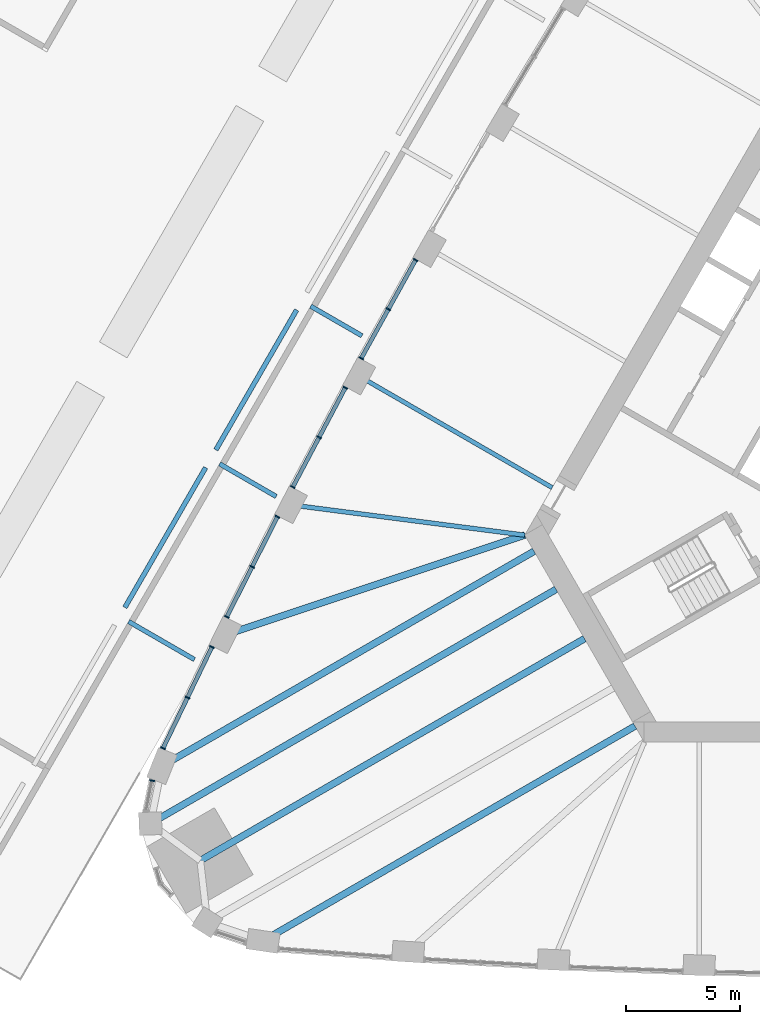
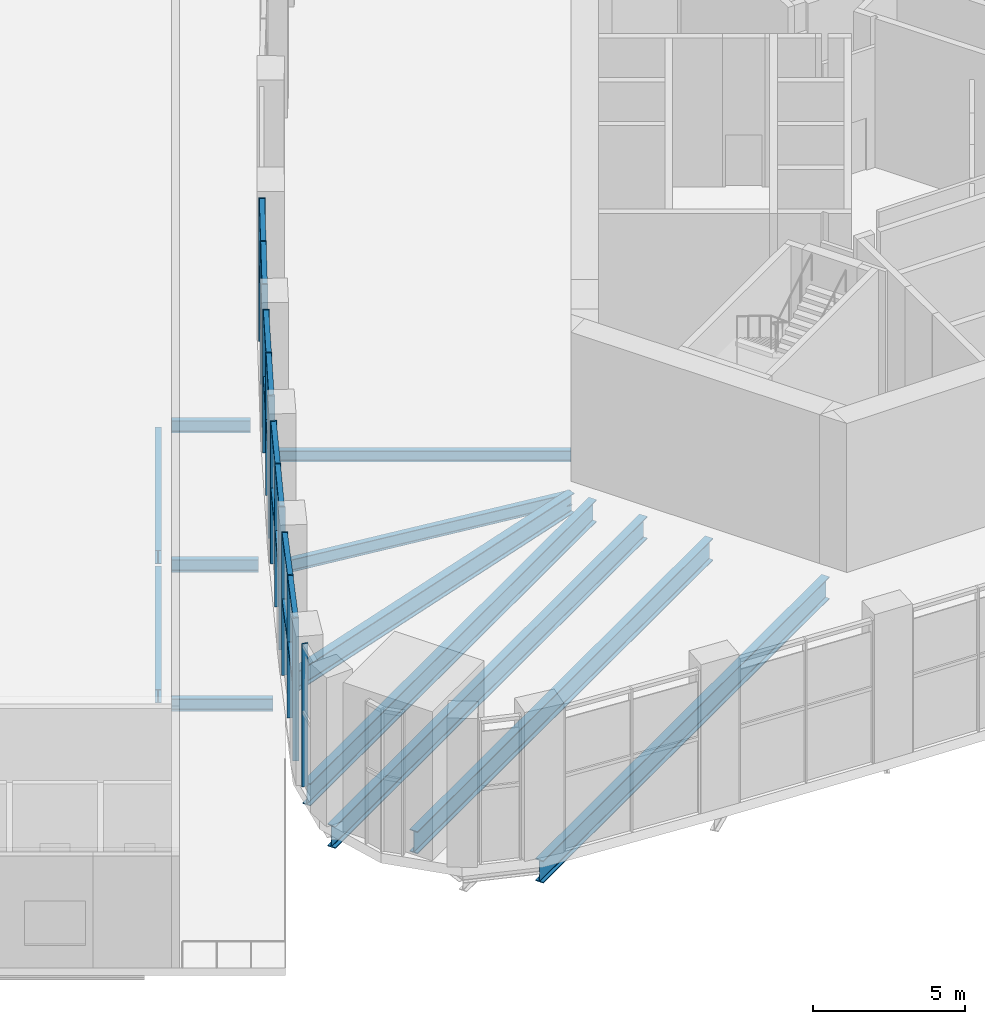
# One storey, part 3 of 41: 29 members, 12 beams, 2 elements without a shape of their own.
"""IFC4 building model written with IfcOpenShell, lengths in metres."""

from ifc_helpers import new_model, si_unit, direction, frame, origin, origin_2d, place, context, subcontext, project, spatial, rectangle, i_section, extrude, material, material_profile, profile_set, type_object, element, aggregate, save


model = new_model("IFC4")

# Units and contexts
model_context = context("Model", 3, precision=1e-05, world=origin(), true_north=direction((0.0, 1.0)))
body_context = subcontext(model_context, "Body", "Model", "MODEL_VIEW")
ifc_project = project(units=[si_unit("LENGTHUNIT", "METRE"), si_unit("AREAUNIT", "SQUARE_METRE"), si_unit("VOLUMEUNIT", "CUBIC_METRE"), si_unit("PLANEANGLEUNIT", "RADIAN"), si_unit("MASSUNIT", "GRAM", prefix="KILO")], contexts=[model_context])

# Site, building, storey
site_placement = place(None, origin())
site = spatial("IfcSite", under=ifc_project, at=site_placement, CompositionType="ELEMENT")
building_placement = place(site_placement, origin())
building = spatial("IfcBuilding", under=site, at=building_placement, Name="Mestral Congress Tower", CompositionType="ELEMENT")
storey_placement = place(building_placement, frame((0.0, 0.0, 21.60009765625)))
storey = spatial("IfcBuildingStorey", under=building, at=storey_placement, Name="L04", CompositionType="ELEMENT", Elevation=21.60009765625)

# Curtain wall, members
ifc_material_1 = material(Name="Clear low-emissivity double glazing", Category="glass")
curtain_wall_type = type_object("IfcCurtainWallType", Name="Facade arrival lobby curtain wall", PredefinedType="USERDEFINED", material=ifc_material_1)
placement = place(storey_placement, origin())
curtain_wall_1 = element("IfcCurtainWall", 1, at=placement, inside=storey, type_object=curtain_wall_type, Name="Facade arrival lobby curtain wall face 3", ObjectType="CURTAIN WALL", PredefinedType="USERDEFINED")
ifc_material_2 = material(Name="Anodised aluminium", Category="aluminium")
ifc_material_profile_1 = material_profile(ifc_material_2, rectangle(XDim=0.219970703125, YDim=0.06005859375, at=origin_2d()), Name="CW4 mullion 220 x 60")
ifc_profile_set_1 = profile_set([ifc_material_profile_1], Name="Anodised aluminium")
member_type_1 = type_object("IfcMemberType", Name="Facade arrival lobby curtain wall mullion", PredefinedType="MULLION", material=ifc_profile_set_1)
member_1_placement = place(storey_placement, frame((-22.0595703125, 8.19091796875, 0.0), z_axis=(0.0, 0.0, 1.0), x_axis=(-0.875120162417, 0.483905674001, 0.0)))
member_1 = element("IfcMember", 2, at=member_1_placement, type_object=member_type_1, Name="Facade arrival lobby curtain wall mullion", PredefinedType="MULLION", context=body_context, shape_type="SweptSolid", body=[
    extrude(rectangle(XDim=0.219970703125, YDim=0.06005859375, at=origin_2d()), origin(), (0.0, 0.0, 1.0), 5.75),
])
member_2_placement = place(storey_placement, frame((-23.25439453125, 6.0302734375, 0.0), z_axis=(0.0, 0.0, 1.0), x_axis=(-0.875120162417, 0.483905674001, 0.0)))
member_2 = element("IfcMember", 3, at=member_2_placement, type_object=member_type_1, Name="Facade arrival lobby curtain wall mullion", PredefinedType="MULLION", context=body_context, shape_type="SweptSolid", body=[
    extrude(rectangle(XDim=0.219970703125, YDim=0.06005859375, at=origin_2d()), origin(), (0.0, 0.0, 1.0), 5.75),
])
member_3_placement = place(storey_placement, frame((-24.44921875, 3.869384765625, 0.0), z_axis=(0.0, 0.0, 1.0), x_axis=(-0.875120162417, 0.483905674001, 0.0)))
member_3 = element("IfcMember", 4, at=member_3_placement, type_object=member_type_1, Name="Facade arrival lobby curtain wall mullion", PredefinedType="MULLION", context=body_context, shape_type="SweptSolid", body=[
    extrude(rectangle(XDim=0.219970703125, YDim=0.06005859375, at=origin_2d()), origin(), (0.0, 0.0, 1.0), 5.75),
])
member_4_placement = place(storey_placement, frame((-25.147216796875, 2.5791015625, 0.0), z_axis=(0.0, 0.0, 1.0), x_axis=(-0.883913407167, 0.467650605293, 0.0)))
member_4 = element("IfcMember", 5, at=member_4_placement, type_object=member_type_1, Name="Facade arrival lobby curtain wall mullion", PredefinedType="MULLION", context=body_context, shape_type="SweptSolid", body=[
    extrude(rectangle(XDim=0.219970703125, YDim=0.06005859375, at=origin_2d()), origin(), (0.0, 0.0, 1.0), 5.75),
])
member_5_placement = place(storey_placement, frame((-26.302001953125, 0.396484375, 0.0), z_axis=(0.0, 0.0, 1.0), x_axis=(-0.883913407167, 0.467650605293, 0.0)))
member_5 = element("IfcMember", 6, at=member_5_placement, type_object=member_type_1, Name="Facade arrival lobby curtain wall mullion", PredefinedType="MULLION", context=body_context, shape_type="SweptSolid", body=[
    extrude(rectangle(XDim=0.219970703125, YDim=0.06005859375, at=origin_2d()), origin(), (0.0, 0.0, 1.0), 5.75),
])
member_6_placement = place(storey_placement, frame((-27.456787109375, -1.785888671875, 0.0), z_axis=(0.0, 0.0, 1.0), x_axis=(-0.883913407167, 0.467650605293, 0.0)))
member_6 = element("IfcMember", 7, at=member_6_placement, type_object=member_type_1, Name="Facade arrival lobby curtain wall mullion", PredefinedType="MULLION", context=body_context, shape_type="SweptSolid", body=[
    extrude(rectangle(XDim=0.219970703125, YDim=0.06005859375, at=origin_2d()), origin(), (0.0, 0.0, 1.0), 5.75),
])
member_7_placement = place(storey_placement, frame((-28.130859375, -3.089111328125, 0.0), z_axis=(0.0, 0.0, 1.0), x_axis=(-0.89241420316, 0.451217120684, 0.0)))
member_7 = element("IfcMember", 8, at=member_7_placement, type_object=member_type_1, Name="Facade arrival lobby curtain wall mullion", PredefinedType="MULLION", context=body_context, shape_type="SweptSolid", body=[
    extrude(rectangle(XDim=0.219970703125, YDim=0.06005859375, at=origin_2d()), origin(), (0.0, 0.0, 1.0), 5.75),
])
member_8_placement = place(storey_placement, frame((-29.244873046875, -5.29248046875, 0.0), z_axis=(0.0, 0.0, 1.0), x_axis=(-0.89241420316, 0.451217120684, 0.0)))
member_8 = element("IfcMember", 9, at=member_8_placement, type_object=member_type_1, Name="Facade arrival lobby curtain wall mullion", PredefinedType="MULLION", context=body_context, shape_type="SweptSolid", body=[
    extrude(rectangle(XDim=0.219970703125, YDim=0.06005859375, at=origin_2d()), origin(), (0.0, 0.0, 1.0), 5.75),
])
member_9_placement = place(storey_placement, frame((-30.35888671875, -7.49609375, 0.0), z_axis=(0.0, 0.0, 1.0), x_axis=(-0.89241420316, 0.451217120684, 0.0)))
member_9 = element("IfcMember", 10, at=member_9_placement, type_object=member_type_1, Name="Facade arrival lobby curtain wall mullion", PredefinedType="MULLION", context=body_context, shape_type="SweptSolid", body=[
    extrude(rectangle(XDim=0.219970703125, YDim=0.06005859375, at=origin_2d()), origin(), (0.0, 0.0, 1.0), 5.75),
])
member_10_placement = place(storey_placement, frame((-31.0087890625, -8.811279296875, 0.0), z_axis=(0.0, 0.0, 1.0), x_axis=(-0.90059585057, 0.434657467366, 0.0)))
member_10 = element("IfcMember", 11, at=member_10_placement, type_object=member_type_1, Name="Facade arrival lobby curtain wall mullion", PredefinedType="MULLION", context=body_context, shape_type="SweptSolid", body=[
    extrude(rectangle(XDim=0.219970703125, YDim=0.06005859375, at=origin_2d()), origin(), (0.0, 0.0, 1.0), 5.75),
])
member_11_placement = place(storey_placement, frame((-32.083740234375, -11.03857421875, 0.0), z_axis=(0.0, 0.0, 1.0), x_axis=(-0.90059585057, 0.434657467366, 0.0)))
member_11 = element("IfcMember", 12, at=member_11_placement, type_object=member_type_1, Name="Facade arrival lobby curtain wall mullion", PredefinedType="MULLION", context=body_context, shape_type="SweptSolid", body=[
    extrude(rectangle(XDim=0.219970703125, YDim=0.06005859375, at=origin_2d()), origin(), (0.0, 0.0, 1.0), 5.75),
])
member_12_placement = place(storey_placement, frame((-33.15869140625, -13.265380859375, 0.0), z_axis=(0.0, 0.0, 1.0), x_axis=(-0.90059585057, 0.434657467366, 0.0)))
member_12 = element("IfcMember", 13, at=member_12_placement, type_object=member_type_1, Name="Facade arrival lobby curtain wall mullion", PredefinedType="MULLION", context=body_context, shape_type="SweptSolid", body=[
    extrude(rectangle(XDim=0.219970703125, YDim=0.06005859375, at=origin_2d()), origin(), (0.0, 0.0, 1.0), 5.75),
])

# Curtain wall, member
curtain_wall_2 = element("IfcCurtainWall", 14, at=placement, inside=storey, type_object=curtain_wall_type, Name="Facade arrival lobby curtain wall corner 3", ObjectType="CURTAIN WALL", PredefinedType="USERDEFINED")
member_13_placement = place(storey_placement, frame((-33.63818359375, -14.687255859375, 0.0), z_axis=(0.0, 0.0, 1.0), x_axis=(-0.980186219896, 0.198078202553, 0.0)))
member_13 = element("IfcMember", 15, at=member_13_placement, type_object=member_type_1, Name="Facade arrival lobby curtain wall mullion", PredefinedType="MULLION", context=body_context, shape_type="SweptSolid", body=[
    extrude(rectangle(XDim=0.219970703125, YDim=0.06005859375, at=origin_2d()), origin(), (0.0, 0.0, 1.0), 5.75),
])
aggregate(curtain_wall_2, [member_13])

# Member
ifc_material_profile_2 = material_profile(ifc_material_2, rectangle(XDim=0.179931640625, YDim=0.139892578125, at=origin_2d()), Name="CW4 transom 180 x 140")
ifc_profile_set_2 = profile_set([ifc_material_profile_2], Name="Anodised aluminium")
member_type_2 = type_object("IfcMemberType", Name="Facade arrival lobby curtain wall transom", PredefinedType="USERDEFINED", material=ifc_profile_set_2)
member_14_placement = place(storey_placement, frame((-22.07421875, 8.164794921875, 3.0), z_axis=(-0.483878127232, -0.875135394089, 0.0), x_axis=(0.875135394089, -0.483878127232, 0.0)))
member_14 = element("IfcMember", 16, at=member_14_placement, type_object=member_type_2, Name="Facade arrival lobby curtain wall transom", ObjectType="TRANSOM", PredefinedType="USERDEFINED", context=body_context, shape_type="SweptSolid", body=[
    extrude(rectangle(XDim=0.179931640625, YDim=0.139892578125, at=origin_2d()), origin(), (0.0, 0.0, 1.0), 2.4091796875),
])

member_15_placement = place(storey_placement, frame((-22.07421875, 8.164794921875, 5.679931640625), z_axis=(-0.483878127232, -0.875135394089, 0.0), x_axis=(0.875135394089, -0.483878127232, 0.0)))
member_15 = element("IfcMember", 17, at=member_15_placement, type_object=member_type_2, Name="Facade arrival lobby curtain wall transom", ObjectType="TRANSOM", PredefinedType="USERDEFINED", context=body_context, shape_type="SweptSolid", body=[
    extrude(rectangle(XDim=0.179931640625, YDim=0.139892578125, at=origin_2d()), origin(), (0.0, 0.0, 1.0), 2.4091796875),
])

member_16_placement = place(storey_placement, frame((-23.268798828125, 6.00390625, 3.0), z_axis=(-0.483998648119, -0.875068745082, 0.0), x_axis=(0.875068745082, -0.483998648119, 0.0)))
member_16 = element("IfcMember", 18, at=member_16_placement, type_object=member_type_2, Name="Facade arrival lobby curtain wall transom", ObjectType="TRANSOM", PredefinedType="USERDEFINED", context=body_context, shape_type="SweptSolid", body=[
    extrude(rectangle(XDim=0.179931640625, YDim=0.139892578125, at=origin_2d()), origin(), (0.0, 0.0, 1.0), 2.4091796875),
])

member_17_placement = place(storey_placement, frame((-23.268798828125, 6.00390625, 5.679931640625), z_axis=(-0.483998648119, -0.875068745082, 0.0), x_axis=(0.875068745082, -0.483998648119, 0.0)))
member_17 = element("IfcMember", 19, at=member_17_placement, type_object=member_type_2, Name="Facade arrival lobby curtain wall transom", ObjectType="TRANSOM", PredefinedType="USERDEFINED", context=body_context, shape_type="SweptSolid", body=[
    extrude(rectangle(XDim=0.179931640625, YDim=0.139892578125, at=origin_2d()), origin(), (0.0, 0.0, 1.0), 2.4091796875),
])

member_18_placement = place(storey_placement, frame((-25.161376953125, 2.552490234375, 3.0), z_axis=(-0.467687491987, -0.883893890599, 0.0), x_axis=(0.883893890599, -0.467687491987, 0.0)))
member_18 = element("IfcMember", 20, at=member_18_placement, type_object=member_type_2, Name="Facade arrival lobby curtain wall transom", ObjectType="TRANSOM", PredefinedType="USERDEFINED", context=body_context, shape_type="SweptSolid", body=[
    extrude(rectangle(XDim=0.179931640625, YDim=0.139892578125, at=origin_2d()), origin(), (0.0, 0.0, 1.0), 2.4091796875),
])

member_19_placement = place(storey_placement, frame((-25.161376953125, 2.552490234375, 5.679931640625), z_axis=(-0.467687491987, -0.883893890599, 0.0), x_axis=(0.883893890599, -0.467687491987, 0.0)))
member_19 = element("IfcMember", 21, at=member_19_placement, type_object=member_type_2, Name="Facade arrival lobby curtain wall transom", ObjectType="TRANSOM", PredefinedType="USERDEFINED", context=body_context, shape_type="SweptSolid", body=[
    extrude(rectangle(XDim=0.179931640625, YDim=0.139892578125, at=origin_2d()), origin(), (0.0, 0.0, 1.0), 2.4091796875),
])

member_20_placement = place(storey_placement, frame((-26.31591796875, 0.3701171875, 3.0), z_axis=(-0.467645602362, -0.883916054041, 0.0), x_axis=(0.883916054041, -0.467645602362, 0.0)))
member_20 = element("IfcMember", 22, at=member_20_placement, type_object=member_type_2, Name="Facade arrival lobby curtain wall transom", ObjectType="TRANSOM", PredefinedType="USERDEFINED", context=body_context, shape_type="SweptSolid", body=[
    extrude(rectangle(XDim=0.179931640625, YDim=0.139892578125, at=origin_2d()), origin(), (0.0, 0.0, 1.0), 2.409423828125),
])

member_21_placement = place(storey_placement, frame((-26.31591796875, 0.3701171875, 5.679931640625), z_axis=(-0.467645602362, -0.883916054041, 0.0), x_axis=(0.883916054041, -0.467645602362, 0.0)))
member_21 = element("IfcMember", 23, at=member_21_placement, type_object=member_type_2, Name="Facade arrival lobby curtain wall transom", ObjectType="TRANSOM", PredefinedType="USERDEFINED", context=body_context, shape_type="SweptSolid", body=[
    extrude(rectangle(XDim=0.179931640625, YDim=0.139892578125, at=origin_2d()), origin(), (0.0, 0.0, 1.0), 2.409423828125),
])

member_22_placement = place(storey_placement, frame((-28.144287109375, -3.115966796875, 3.0), z_axis=(-0.451262562737, -0.892391225569, 0.0), x_axis=(0.892391225569, -0.451262562737, 0.0)))
member_22 = element("IfcMember", 24, at=member_22_placement, type_object=member_type_2, Name="Facade arrival lobby curtain wall transom", ObjectType="TRANSOM", PredefinedType="USERDEFINED", context=body_context, shape_type="SweptSolid", body=[
    extrude(rectangle(XDim=0.179931640625, YDim=0.139892578125, at=origin_2d()), origin(), (0.0, 0.0, 1.0), 2.4091796875),
])

member_23_placement = place(storey_placement, frame((-28.144287109375, -3.115966796875, 5.679931640625), z_axis=(-0.451262562737, -0.892391225569, 0.0), x_axis=(0.892391225569, -0.451262562737, 0.0)))
member_23 = element("IfcMember", 25, at=member_23_placement, type_object=member_type_2, Name="Facade arrival lobby curtain wall transom", ObjectType="TRANSOM", PredefinedType="USERDEFINED", context=body_context, shape_type="SweptSolid", body=[
    extrude(rectangle(XDim=0.179931640625, YDim=0.139892578125, at=origin_2d()), origin(), (0.0, 0.0, 1.0), 2.4091796875),
])

member_24_placement = place(storey_placement, frame((-29.25830078125, -5.3193359375, 3.0), z_axis=(-0.451262562737, -0.892391225569, 0.0), x_axis=(0.892391225569, -0.451262562737, 0.0)))
member_24 = element("IfcMember", 26, at=member_24_placement, type_object=member_type_2, Name="Facade arrival lobby curtain wall transom", ObjectType="TRANSOM", PredefinedType="USERDEFINED", context=body_context, shape_type="SweptSolid", body=[
    extrude(rectangle(XDim=0.179931640625, YDim=0.139892578125, at=origin_2d()), origin(), (0.0, 0.0, 1.0), 2.4091796875),
])

member_25_placement = place(storey_placement, frame((-29.25830078125, -5.3193359375, 5.679931640625), z_axis=(-0.451262562737, -0.892391225569, 0.0), x_axis=(0.892391225569, -0.451262562737, 0.0)))
member_25 = element("IfcMember", 27, at=member_25_placement, type_object=member_type_2, Name="Facade arrival lobby curtain wall transom", ObjectType="TRANSOM", PredefinedType="USERDEFINED", context=body_context, shape_type="SweptSolid", body=[
    extrude(rectangle(XDim=0.179931640625, YDim=0.139892578125, at=origin_2d()), origin(), (0.0, 0.0, 1.0), 2.4091796875),
])

member_26_placement = place(storey_placement, frame((-31.02197265625, -8.83837890625, 3.0), z_axis=(-0.434664179072, -0.900592611247, 0.0), x_axis=(0.900592611247, -0.434664179072, 0.0)))
member_26 = element("IfcMember", 28, at=member_26_placement, type_object=member_type_2, Name="Facade arrival lobby curtain wall transom", ObjectType="TRANSOM", PredefinedType="USERDEFINED", context=body_context, shape_type="SweptSolid", body=[
    extrude(rectangle(XDim=0.179931640625, YDim=0.139892578125, at=origin_2d()), origin(), (0.0, 0.0, 1.0), 2.412841796875),
])

member_27_placement = place(storey_placement, frame((-31.02197265625, -8.83837890625, 5.679931640625), z_axis=(-0.434664179072, -0.900592611247, 0.0), x_axis=(0.900592611247, -0.434664179072, 0.0)))
member_27 = element("IfcMember", 29, at=member_27_placement, type_object=member_type_2, Name="Facade arrival lobby curtain wall transom", ObjectType="TRANSOM", PredefinedType="USERDEFINED", context=body_context, shape_type="SweptSolid", body=[
    extrude(rectangle(XDim=0.179931640625, YDim=0.139892578125, at=origin_2d()), origin(), (0.0, 0.0, 1.0), 2.412841796875),
])

member_28_placement = place(storey_placement, frame((-32.0966796875, -11.0654296875, 3.0), z_axis=(-0.434664179072, -0.900592611247, 0.0), x_axis=(0.900592611247, -0.434664179072, 0.0)))
member_28 = element("IfcMember", 30, at=member_28_placement, type_object=member_type_2, Name="Facade arrival lobby curtain wall transom", ObjectType="TRANSOM", PredefinedType="USERDEFINED", context=body_context, shape_type="SweptSolid", body=[
    extrude(rectangle(XDim=0.179931640625, YDim=0.139892578125, at=origin_2d()), origin(), (0.0, 0.0, 1.0), 2.412841796875),
])

member_29_placement = place(storey_placement, frame((-32.0966796875, -11.0654296875, 5.679931640625), z_axis=(-0.434664179072, -0.900592611247, 0.0), x_axis=(0.900592611247, -0.434664179072, 0.0)))
member_29 = element("IfcMember", 31, at=member_29_placement, type_object=member_type_2, Name="Facade arrival lobby curtain wall transom", ObjectType="TRANSOM", PredefinedType="USERDEFINED", context=body_context, shape_type="SweptSolid", body=[
    extrude(rectangle(XDim=0.179931640625, YDim=0.139892578125, at=origin_2d()), origin(), (0.0, 0.0, 1.0), 2.412841796875),
])

aggregate(curtain_wall_1, [member_1, member_2, member_3, member_14, member_15, member_16, member_17, member_4, member_5, member_6, member_18, member_19, member_20, member_21, member_7, member_8, member_9, member_22, member_23, member_24, member_25, member_10, member_11, member_12, member_26, member_27, member_28, member_29])

# Beams
ifc_material_3 = material(Name="Steel S355", Category="steel")
ifc_material_profile_3 = material_profile(ifc_material_3, i_section(OverallWidth=0.300048828125, OverallDepth=0.800048828125, WebThickness=0.017578125, FlangeThickness=0.032958984375, FilletRadius=0.030029296875, at=origin_2d()), Name="HEB 800")
ifc_profile_set_3 = profile_set([ifc_material_profile_3], Name="Steel S355")
beam_type_1 = type_object("IfcBeamType", Name="Floor beam HEB 800 S355", PredefinedType="BEAM", material=ifc_profile_set_3)
beam_1_placement = place(storey_placement, frame((-30.421142578125, -8.28369140625, -0.800048828125), z_axis=(0.948734333606, 0.316074618146, 0.0), x_axis=(-0.316074618146, 0.948734333606, 0.0)))
element("IfcBeam", 32, at=beam_1_placement, inside=storey, type_object=beam_type_1, Name="BM-L04-RB1-W08", PredefinedType="BEAM", context=body_context, shape_type="SweptSolid", body=[
    extrude(i_section(OverallWidth=0.300048828125, OverallDepth=0.800048828125, WebThickness=0.017578125, FlangeThickness=0.032958984375, FilletRadius=0.030029296875, at=origin_2d()), origin(), (0.0, 0.0, 1.0), 13.869384765625),
])
ifc_material_profile_4 = material_profile(ifc_material_3, i_section(OverallWidth=0.300048828125, OverallDepth=0.89990234375, WebThickness=0.0185546875, FlangeThickness=0.034912109375, FilletRadius=0.030029296875, at=origin_2d()), Name="HEB 900")
ifc_profile_set_4 = profile_set([ifc_material_profile_4], Name="Steel S355")
beam_type_2 = type_object("IfcBeamType", Name="Floor beam HEB 900 S355", PredefinedType="BEAM", material=ifc_profile_set_4)
for number, where, z_axis, x_axis, name in (
    (33, (-28.766845703125, -21.730712890625, -0.85009765625), (0.86603009716, 0.499991870746, 0.0), (-0.499991870746, 0.86603009716, 0.0), "BM-L04-RB1-S00"),
    (34, (-33.202880859375, -14.04736328125, -0.85009765625), (0.86603009716, 0.499991870746, 0.0), (-0.499991870746, 0.86603009716, 0.0), "BM-L04-RB1-W09"),
):
    element("IfcBeam", number, at=place(storey_placement, frame(where, z_axis=z_axis, x_axis=x_axis)), inside=storey, type_object=beam_type_2, Name=name, PredefinedType="BEAM", context=body_context, shape_type="SweptSolid", body=[
        extrude(i_section(OverallWidth=0.300048828125, OverallDepth=0.89990234375, WebThickness=0.0185546875, FlangeThickness=0.034912109375, FilletRadius=0.030029296875, at=origin_2d()), origin(), (0.0, 0.0, 1.0), 18.878173828125),
    ])
beam_2_placement = place(storey_placement, frame((-33.71337890625, -16.573974609375, -0.85009765625), z_axis=(0.866026584559, 0.499997954832, 0.0), x_axis=(-0.499997954832, 0.866026584559, 0.0)))
element("IfcBeam", 35, at=beam_2_placement, inside=storey, type_object=beam_type_2, Name="BM-L04-RB1-SW1", PredefinedType="BEAM", context=body_context, shape_type="SweptSolid", body=[
    extrude(i_section(OverallWidth=0.300048828125, OverallDepth=0.89990234375, WebThickness=0.0185546875, FlangeThickness=0.034912109375, FilletRadius=0.030029296875, at=origin_2d()), origin(), (0.0, 0.0, 1.0), 20.58349609375),
])
beam_3_placement = place(storey_placement, frame((-31.5224609375, -18.199462890625, -0.85009765625), z_axis=(0.866026289775, 0.499998465416, 0.0), x_axis=(-0.499998465416, 0.866026289775, 0.0)))
element("IfcBeam", 36, at=beam_3_placement, inside=storey, type_object=beam_type_2, Name="BM-L04-RB1-SW", PredefinedType="BEAM", context=body_context, shape_type="SweptSolid", body=[
    extrude(i_section(OverallWidth=0.300048828125, OverallDepth=0.89990234375, WebThickness=0.0185546875, FlangeThickness=0.034912109375, FilletRadius=0.030029296875, at=origin_2d()), origin(), (0.0, 0.0, 1.0), 19.4990234375),
])
ifc_material_profile_5 = material_profile(ifc_material_3, i_section(OverallWidth=0.18994140625, OverallDepth=0.449951171875, WebThickness=0.009521484375, FlangeThickness=0.0146484375, FilletRadius=0.02099609375, at=origin_2d()), Name="IPE 450")
ifc_profile_set_5 = profile_set([ifc_material_profile_5], Name="Steel S355")
beam_type_3 = type_object("IfcBeamType", Name="Floor beam IPE 450 S355", PredefinedType="BEAM", material=ifc_profile_set_5)
beam_4_placement = place(storey_placement, frame((-24.540283203125, 3.084716796875, -0.625), z_axis=(0.866025782648, -0.499999343788, 0.0), x_axis=(0.499999343788, 0.866025782648, 0.0)))
element("IfcBeam", 37, at=beam_4_placement, inside=storey, type_object=beam_type_3, Name="BM-L04-RB1-W06", PredefinedType="BEAM", context=body_context, shape_type="SweptSolid", body=[
    extrude(i_section(OverallWidth=0.18994140625, OverallDepth=0.449951171875, WebThickness=0.009521484375, FlangeThickness=0.0146484375, FilletRadius=0.02099609375, at=origin_2d()), origin(), (0.0, 0.0, 1.0), 9.794921875),
])
ifc_material_profile_6 = material_profile(ifc_material_3, i_section(OverallWidth=0.199951171875, OverallDepth=0.5, WebThickness=0.01025390625, FlangeThickness=0.01611328125, FilletRadius=0.02099609375, at=origin_2d()), Name="IPE 500")
ifc_profile_set_6 = profile_set([ifc_material_profile_6], Name="Steel S355")
beam_type_4 = type_object("IfcBeamType", Name="Floor beam IPE 500 S355", PredefinedType="BEAM", material=ifc_profile_set_6)
beam_5_placement = place(storey_placement, frame((-27.533203125, -2.572265625, -0.650146484375), z_axis=(0.991748305255, -0.128200230198, 0.0), x_axis=(0.128200230198, 0.991748305255, 0.0)))
element("IfcBeam", 38, at=beam_5_placement, inside=storey, type_object=beam_type_4, Name="BM-L04-RB1-W07", PredefinedType="BEAM", context=body_context, shape_type="SweptSolid", body=[
    extrude(i_section(OverallWidth=0.199951171875, OverallDepth=0.5, WebThickness=0.01025390625, FlangeThickness=0.01611328125, FilletRadius=0.02099609375, at=origin_2d()), origin(), (0.0, 0.0, 1.0), 10.35595703125),
])
beam_6_placement = place(storey_placement, frame((-26.6708984375, 6.160888671875, -0.550048828125), z_axis=(0.866018489949, -0.500011974923, 0.0), x_axis=(0.500011974923, 0.866018489949, 0.0)))
element("IfcBeam", 39, at=beam_6_placement, inside=storey, type_object=beam_type_4, Name="BM-L04-W-K07", PredefinedType="BEAM", context=body_context, shape_type="SweptSolid", body=[
    extrude(i_section(OverallWidth=0.199951171875, OverallDepth=0.5, WebThickness=0.01025390625, FlangeThickness=0.01611328125, FilletRadius=0.02099609375, at=origin_2d()), origin(), (0.0, 0.0, 1.0), 2.603515625),
])
beam_7_placement = place(storey_placement, frame((-30.6708984375, -0.767333984375, -0.550048828125), z_axis=(0.866019818373, -0.500009674092, 0.0), x_axis=(0.500009674092, 0.866019818373, 0.0)))
element("IfcBeam", 40, at=beam_7_placement, inside=storey, type_object=beam_type_4, Name="BM-L04-W-K08", PredefinedType="BEAM", context=body_context, shape_type="SweptSolid", body=[
    extrude(i_section(OverallWidth=0.199951171875, OverallDepth=0.5, WebThickness=0.01025390625, FlangeThickness=0.01611328125, FilletRadius=0.02099609375, at=origin_2d()), origin(), (0.0, 0.0, 1.0), 2.86962890625),
])
beam_8_placement = place(storey_placement, frame((-34.6708984375, -7.695556640625, -0.550048828125), z_axis=(0.866000720478, -0.500042750305, 0.0), x_axis=(0.500042750305, 0.866000720478, 0.0)))
element("IfcBeam", 41, at=beam_8_placement, inside=storey, type_object=beam_type_4, Name="BM-L04-W-K09", PredefinedType="BEAM", context=body_context, shape_type="SweptSolid", body=[
    extrude(i_section(OverallWidth=0.199951171875, OverallDepth=0.5, WebThickness=0.01025390625, FlangeThickness=0.01611328125, FilletRadius=0.02099609375, at=origin_2d()), origin(), (0.0, 0.0, 1.0), 3.343017578125),
])
ifc_material_profile_7 = material_profile(ifc_material_3, i_section(OverallWidth=0.2099609375, OverallDepth=0.550048828125, WebThickness=0.010986328125, FlangeThickness=0.01708984375, FilletRadius=0.02392578125, at=origin_2d()), Name="IPE 550")
ifc_profile_set_7 = profile_set([ifc_material_profile_7], Name="Steel S355")
beam_type_5 = type_object("IfcBeamType", Name="Floor beam IPE 550 S355", PredefinedType="BEAM", material=ifc_profile_set_7)
for number, where, z_axis, x_axis, name in (
    (42, (-27.285400390625, 5.99609375, -0.5751953125), (-0.500011179042, -0.866018949465, 0.0), (0.866018949465, -0.500011179042, 0.0), "BM-L04-W-U07A"),
    (43, (-31.285400390625, -0.93212890625, -0.5751953125), (-0.500011179042, -0.866018949465, 0.0), (0.866018949465, -0.500011179042, 0.0), "BM-L04-W-U08A"),
):
    element("IfcBeam", number, at=place(storey_placement, frame(where, z_axis=z_axis, x_axis=x_axis)), inside=storey, type_object=beam_type_5, Name=name, PredefinedType="BEAM", context=body_context, shape_type="SweptSolid", body=[
        extrude(i_section(OverallWidth=0.2099609375, OverallDepth=0.550048828125, WebThickness=0.010986328125, FlangeThickness=0.01708984375, FilletRadius=0.02392578125, at=origin_2d()), origin(), (0.0, 0.0, 1.0), 7.099853515625),
    ])

save(model, "model.ifc")
